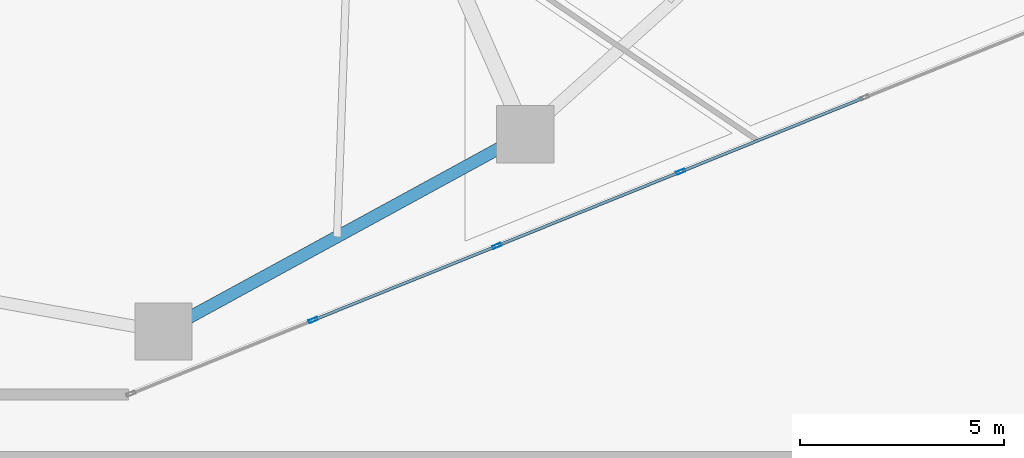
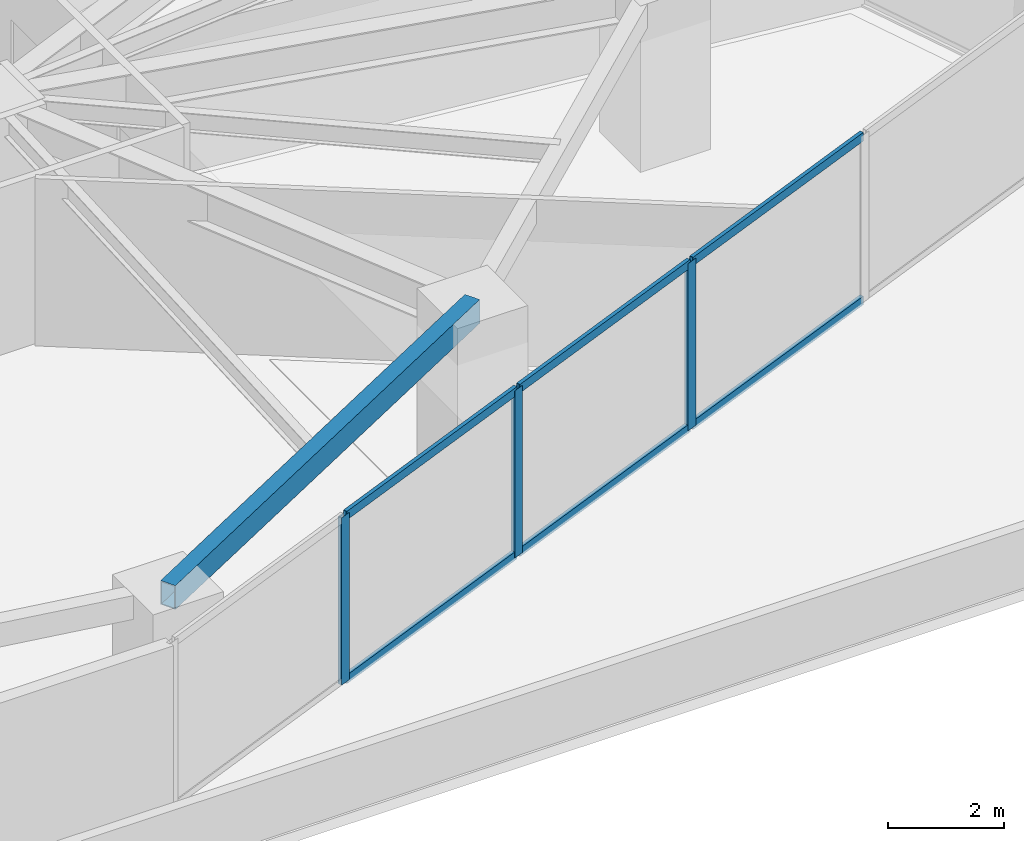
# One storey, part 9 of 23: 9 members, 1 beam, 1 element without a shape of its own.
"""IFC4 building model written with IfcOpenShell, lengths in metres."""

from ifc_helpers import new_model, si_unit, direction, frame, origin, origin_2d, place, context, subcontext, project, spatial, hollow_rectangle, extrude, source, transform, mapped, material, layer, layer_set, material_profile, profile_set, type_object, type_shapes, element, aggregate, save


model = new_model("IFC4")

# Units and contexts
model_context = context("Model", 3, precision=1e-05, world=origin(), true_north=direction((0.0, 1.0)))
body_context = subcontext(model_context, "Body", "Model", "MODEL_VIEW")
ifc_project = project(units=[si_unit("LENGTHUNIT", "METRE"), si_unit("AREAUNIT", "SQUARE_METRE"), si_unit("VOLUMEUNIT", "CUBIC_METRE"), si_unit("PLANEANGLEUNIT", "RADIAN"), si_unit("MASSUNIT", "GRAM", prefix="KILO")], contexts=[model_context])

# Site, building, storey
site_placement = place(None, origin())
site = spatial("IfcSite", under=ifc_project, at=site_placement, CompositionType="ELEMENT")
building_placement = place(site_placement, origin())
building = spatial("IfcBuilding", under=site, at=building_placement, Name="Talar Marvaseh", CompositionType="ELEMENT")
storey_placement = place(building_placement, frame((0.0, 0.0, 24.0)))
storey = spatial("IfcBuildingStorey", under=building, at=storey_placement, Name="L05", CompositionType="ELEMENT", Elevation=24.0)

# Beam
ifc_material_1 = material(Name="Steel S355", Category="steel")
ifc_material_profile_1 = material_profile(ifc_material_1, hollow_rectangle(XDim=0.300048828125, YDim=0.5, WallThickness=0.02001953125, at=origin_2d()), Name="RHS500x300x20")
ifc_profile_set_1 = profile_set([ifc_material_profile_1], Name="Steel S355")
beam_type = type_object("IfcBeamType", Name="Zone 1 Perimeter Spandrel Beam RHS500x300x20", PredefinedType="SPANDREL", material=ifc_profile_set_1)
beam_placement = place(storey_placement, frame((37.468017578125, 16.02099609375, 3.27001953125), z_axis=(-0.877792749602, -0.47904059196, 0.0), x_axis=(0.47904059196, -0.877792749602, 0.0)))
element("IfcBeam", 1, at=beam_placement, inside=storey, type_object=beam_type, Name="L05 Zone 1 Perimeter Spandrel Beam RHS500x300x20", PredefinedType="SPANDREL", context=body_context, shape_type="SweptSolid", body=[
    extrude(hollow_rectangle(XDim=0.300048828125, YDim=0.5, WallThickness=0.02001953125, at=origin_2d()), origin(), (0.0, 0.0, 1.0), 10.07421875),
])

# Curtain wall, members
ifc_material_2 = material(Name="Architectural Aluminium", Category="aluminium")
ifc_layer = layer(ifc_material_2, 0.219970703125)
ifc_layer_set = layer_set([ifc_layer], Name="Architectural Aluminium")
curtain_wall_type = type_object("IfcCurtainWallType", Name="Unitised Low-E Museum Curtain Wall Z1", PredefinedType="NOTDEFINED", material=ifc_layer_set)
curtain_wall_placement = place(storey_placement, origin())
curtain_wall = element("IfcCurtainWall", 2, at=curtain_wall_placement, inside=storey, type_object=curtain_wall_type, Name="L05 Unitised Low-E Museum Curtain Wall Z1", PredefinedType="NOTDEFINED")
ifc_material_profile_2 = material_profile(ifc_material_2, hollow_rectangle(XDim=0.080078125, YDim=0.219970703125, WallThickness=0.0048828125, at=origin_2d()), Name="RHS220x80x5")
ifc_profile_set_2 = profile_set([ifc_material_profile_2], Name="Architectural Aluminium")
member_type_1 = type_object("IfcMemberType", Name="Unitised Curtain Wall Heavy Mullion RHS220x80x5", PredefinedType="MULLION", material=ifc_profile_set_2)
shared_shape_1 = source(origin(), body_context, "Body", "SweptSolid", [
    extrude(hollow_rectangle(XDim=0.080078125, YDim=0.219970703125, WallThickness=0.0048828125, at=origin_2d()), origin(), (0.0, 0.0, 1.0), 3.52001953125),
])
type_shapes(member_type_1, [shared_shape_1])
member_1_placement = place(storey_placement, frame((41.268798828125, 15.1015625, 0.0), z_axis=(0.0, 0.0, 1.0), x_axis=(0.374463049598, -0.927241837109, 0.0)))
member_1 = element("IfcMember", 3, at=member_1_placement, type_object=member_type_1, Name="CW-Z1 mullion 3", PredefinedType="MULLION", context=body_context, shape_type="MappedRepresentation", body=[
    mapped(shared_shape_1, transform((0.0, 0.0, 0.0), x_axis=(1.0, 0.0, 0.0), y_axis=(0.0, 1.0, 0.0), z_axis=(0.0, 0.0, 1.0), scale=1.0)),
])
member_2_placement = place(storey_placement, frame((36.776123046875, 13.287109375, 0.0), z_axis=(0.0, 0.0, 1.0), x_axis=(0.374463049598, -0.927241837109, 0.0)))
member_2 = element("IfcMember", 4, at=member_2_placement, type_object=member_type_1, Name="CW-Z1 mullion 4", PredefinedType="MULLION", context=body_context, shape_type="MappedRepresentation", body=[
    mapped(shared_shape_1, transform((0.0, 0.0, 0.0), x_axis=(1.0, 0.0, 0.0), y_axis=(0.0, 1.0, 0.0), z_axis=(0.0, 0.0, 1.0), scale=1.0)),
])
member_3_placement = place(storey_placement, frame((32.283203125, 11.472900390625, 0.0), z_axis=(0.0, 0.0, 1.0), x_axis=(0.374463049598, -0.927241837109, 0.0)))
member_3 = element("IfcMember", 5, at=member_3_placement, type_object=member_type_1, Name="CW-Z1 mullion 5", PredefinedType="MULLION", context=body_context, shape_type="MappedRepresentation", body=[
    mapped(shared_shape_1, transform((0.0, 0.0, 0.0), x_axis=(1.0, 0.0, 0.0), y_axis=(0.0, 1.0, 0.0), z_axis=(0.0, 0.0, 1.0), scale=1.0)),
])
ifc_material_profile_3 = material_profile(ifc_material_2, hollow_rectangle(XDim=0.074951171875, YDim=0.179931640625, WallThickness=0.0048828125, at=origin_2d()), Name="RHS180x75x5")
ifc_profile_set_3 = profile_set([ifc_material_profile_3], Name="Architectural Aluminium")
member_type_2 = type_object("IfcMemberType", Name="Unitised Curtain Wall Transom RHS180x75x5", PredefinedType="USERDEFINED", material=ifc_profile_set_3)
shared_shape_2 = source(origin(), body_context, "Body", "SweptSolid", [
    extrude(hollow_rectangle(XDim=0.074951171875, YDim=0.179931640625, WallThickness=0.0048828125, at=origin_2d()), origin(), (0.0, 0.0, 1.0), 4.765380859375),
])
member_4_placement = place(storey_placement, frame((45.724609375, 16.901123046875, 0.03759765625), z_axis=(-0.927245600038, -0.374453731735, 0.0), x_axis=(0.374453731735, -0.927245600038, 0.0)))
member_4 = element("IfcMember", 6, at=member_4_placement, type_object=member_type_2, Name="CW-Z1 transom 2.1", ObjectType="TRANSOM", PredefinedType="USERDEFINED", context=body_context, shape_type="MappedRepresentation", body=[
    mapped(shared_shape_2, transform((0.0, 0.0, 0.0), x_axis=(1.0, 0.0, 0.0), y_axis=(0.0, 1.0, 0.0), z_axis=(0.0, 0.0, 1.0), scale=1.0)),
])
member_5_placement = place(storey_placement, frame((45.724609375, 16.901123046875, 3.482421875), z_axis=(-0.927245600038, -0.374453731735, 0.0), x_axis=(0.374453731735, -0.927245600038, 0.0)))
member_5 = element("IfcMember", 7, at=member_5_placement, type_object=member_type_2, Name="CW-Z1 transom 2.2", ObjectType="TRANSOM", PredefinedType="USERDEFINED", context=body_context, shape_type="MappedRepresentation", body=[
    mapped(shared_shape_2, transform((0.0, 0.0, 0.0), x_axis=(1.0, 0.0, 0.0), y_axis=(0.0, 1.0, 0.0), z_axis=(0.0, 0.0, 1.0), scale=1.0)),
])
member_6_placement = place(storey_placement, frame((36.739013671875, 13.272216796875, 0.03759765625), z_axis=(-0.927245600038, -0.374453731735, 0.0), x_axis=(0.374453731735, -0.927245600038, 0.0)))
member_6 = element("IfcMember", 8, at=member_6_placement, type_object=member_type_2, Name="CW-Z1 transom 4.1", ObjectType="TRANSOM", PredefinedType="USERDEFINED", context=body_context, shape_type="MappedRepresentation", body=[
    mapped(shared_shape_2, transform((0.0, 0.0, 0.0), x_axis=(1.0, 0.0, 0.0), y_axis=(0.0, 1.0, 0.0), z_axis=(0.0, 0.0, 1.0), scale=1.0)),
])
member_7_placement = place(storey_placement, frame((36.739013671875, 13.272216796875, 3.482421875), z_axis=(-0.927245600038, -0.374453731735, 0.0), x_axis=(0.374453731735, -0.927245600038, 0.0)))
member_7 = element("IfcMember", 9, at=member_7_placement, type_object=member_type_2, Name="CW-Z1 transom 4.2", ObjectType="TRANSOM", PredefinedType="USERDEFINED", context=body_context, shape_type="MappedRepresentation", body=[
    mapped(shared_shape_2, transform((0.0, 0.0, 0.0), x_axis=(1.0, 0.0, 0.0), y_axis=(0.0, 1.0, 0.0), z_axis=(0.0, 0.0, 1.0), scale=1.0)),
])
shared_shape_3 = source(origin(), body_context, "Body", "SweptSolid", [
    extrude(hollow_rectangle(XDim=0.074951171875, YDim=0.179931640625, WallThickness=0.0048828125, at=origin_2d()), origin(), (0.0, 0.0, 1.0), 4.76513671875),
])
type_shapes(member_type_2, [shared_shape_2, shared_shape_3])
member_8_placement = place(storey_placement, frame((41.231689453125, 15.086669921875, 0.03759765625), z_axis=(-0.927238416019, -0.374471520758, 0.0), x_axis=(0.374471520758, -0.927238416019, 0.0)))
member_8 = element("IfcMember", 10, at=member_8_placement, type_object=member_type_2, Name="CW-Z1 transom 3.1", ObjectType="TRANSOM", PredefinedType="USERDEFINED", context=body_context, shape_type="MappedRepresentation", body=[
    mapped(shared_shape_3, transform((0.0, 0.0, 0.0), x_axis=(1.0, 0.0, 0.0), y_axis=(0.0, 1.0, 0.0), z_axis=(0.0, 0.0, 1.0), scale=1.0)),
])
member_9_placement = place(storey_placement, frame((41.231689453125, 15.086669921875, 3.482421875), z_axis=(-0.927238416019, -0.374471520758, 0.0), x_axis=(0.374471520758, -0.927238416019, 0.0)))
member_9 = element("IfcMember", 11, at=member_9_placement, type_object=member_type_2, Name="CW-Z1 transom 3.2", ObjectType="TRANSOM", PredefinedType="USERDEFINED", context=body_context, shape_type="MappedRepresentation", body=[
    mapped(shared_shape_3, transform((0.0, 0.0, 0.0), x_axis=(1.0, 0.0, 0.0), y_axis=(0.0, 1.0, 0.0), z_axis=(0.0, 0.0, 1.0), scale=1.0)),
])
aggregate(curtain_wall, [member_1, member_2, member_3, member_4, member_5, member_8, member_9, member_6, member_7])

save(model, "model.ifc")
